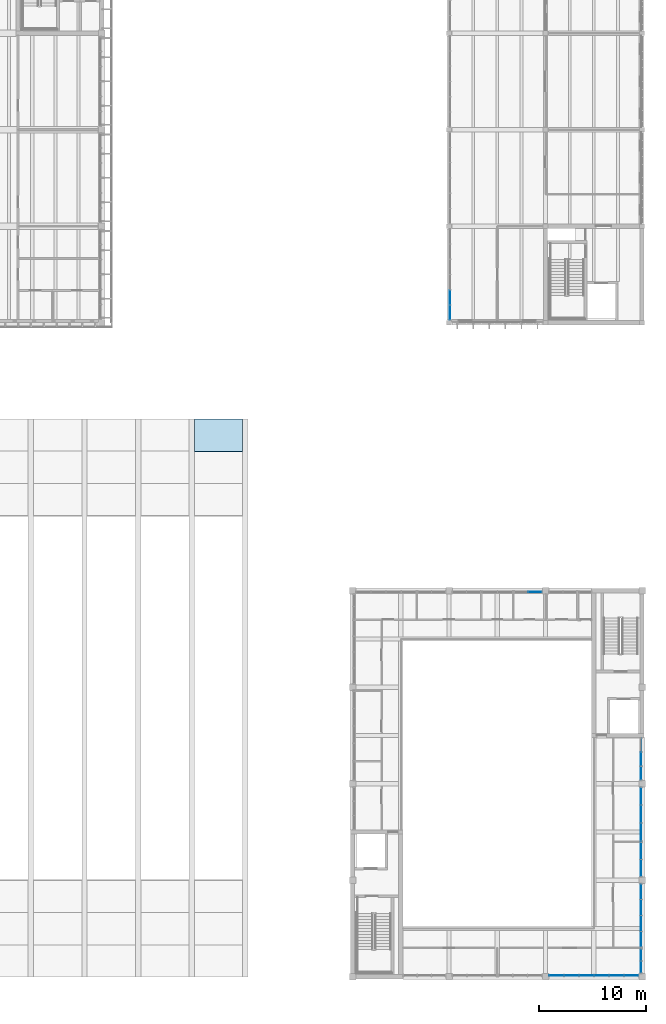
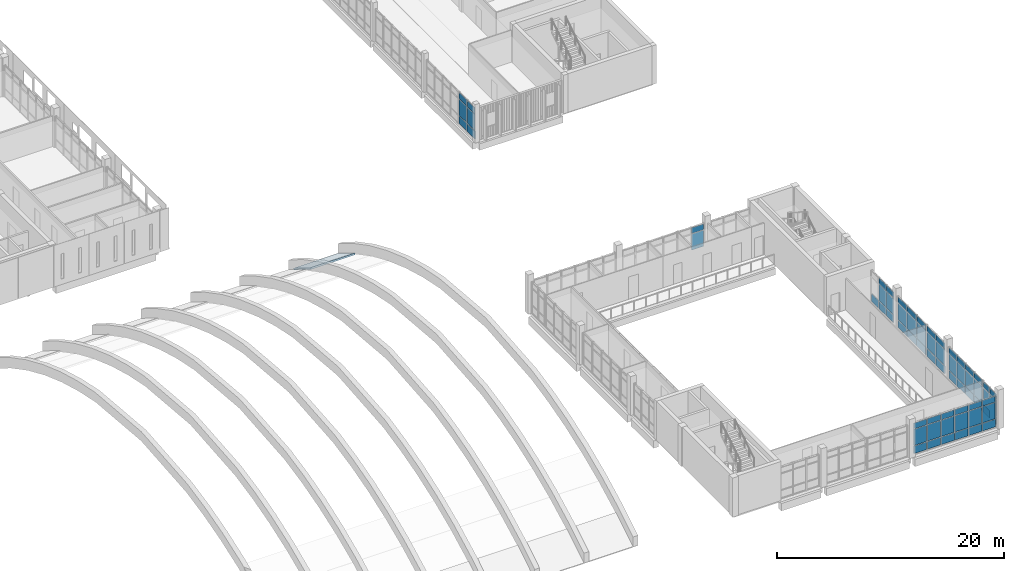
# One storey, part 39 of 88: 66 plates, 1 slab, 8 elements without a shape of their own.
"""IFC4 building model written with IfcOpenShell, lengths in metres."""

from ifc_helpers import new_model, si_unit, direction, frame, origin, origin_2d, place, context, subcontext, project, spatial, polyline, rectangle, outline, extrude, material, layer, layer_set, type_object, element, aggregate, save


model = new_model("IFC4")

# Units and contexts
model_context = context("Model", 3, precision=1e-05, world=origin(), true_north=direction((0.0, 1.0)))
body_context = subcontext(model_context, "Body", "Model", "MODEL_VIEW")
ifc_project = project(units=[si_unit("LENGTHUNIT", "METRE"), si_unit("AREAUNIT", "SQUARE_METRE"), si_unit("VOLUMEUNIT", "CUBIC_METRE"), si_unit("PLANEANGLEUNIT", "RADIAN"), si_unit("MASSUNIT", "GRAM", prefix="KILO")], contexts=[model_context])

# Site, building, storey
site_placement = place(None, origin())
site = spatial("IfcSite", under=ifc_project, at=site_placement, CompositionType="ELEMENT")
building_placement = place(site_placement, origin())
building = spatial("IfcBuilding", under=site, at=building_placement, Name="Merrow Basin Faculty of Sciences", CompositionType="ELEMENT")
storey_placement = place(building_placement, frame((0.0, 0.0, 9.0)))
storey = spatial("IfcBuildingStorey", under=building, at=storey_placement, Name="L02", CompositionType="ELEMENT", Elevation=9.0)

# Curtain wall, plates
ifc_material_1 = material(Name="Aluminium alloy 6063", Category="aluminium")
curtain_wall_type_1 = type_object("IfcCurtainWallType", Name="Atrium unitised curtain wall 240", PredefinedType="NOTDEFINED", material=ifc_material_1)
curtain_wall_1_placement = place(storey_placement, origin())
curtain_wall_1 = element("IfcCurtainWall", 1, at=curtain_wall_1_placement, inside=storey, type_object=curtain_wall_type_1, Name="N curtain wall L02 5", PredefinedType="NOTDEFINED")
ifc_material_2 = material(Name="Low-E double glazing", Category="glass")
ifc_layer_1 = layer(ifc_material_2, 0.031982421875)
ifc_layer_set_1 = layer_set([ifc_layer_1], Name="Acoustic double glazed panel 32")
plate_type_1 = type_object("IfcPlateType", Name="Acoustic double glazed panel 32", PredefinedType="CURTAIN_PANEL", material=ifc_layer_set_1)
plate_1_placement = place(storey_placement, frame((62.0224609375, 35.8798828125, 0.93017578125), z_axis=(0.0, 0.0, 1.0), x_axis=(1.0, 0.0, 0.0)))
plate_1 = element("IfcPlate", 2, at=plate_1_placement, type_object=plate_type_1, Name="CW5 panel 2.2", PredefinedType="CURTAIN_PANEL", context=body_context, shape_type="SweptSolid", body=[
    extrude(rectangle(XDim=1.235107421875, YDim=0.031982421875, at=origin_2d()), origin(), (0.0, 0.0, 1.0), 1.739990234375),
])
plate_2_placement = place(storey_placement, frame((62.0224609375, 35.8798828125, 2.72998046875), z_axis=(0.0, 0.0, 1.0), x_axis=(1.0, 0.0, 0.0)))
plate_2 = element("IfcPlate", 3, at=plate_2_placement, type_object=plate_type_1, Name="CW5 panel 2.3", PredefinedType="CURTAIN_PANEL", context=body_context, shape_type="SweptSolid", body=[
    extrude(rectangle(XDim=1.235107421875, YDim=0.031982421875, at=origin_2d()), origin(), (0.0, 0.0, 1.0), 0.610107421875),
])
aggregate(curtain_wall_1, [plate_1, plate_2])

curtain_wall_2_placement = place(storey_placement, origin())
curtain_wall_2 = element("IfcCurtainWall", 4, at=curtain_wall_2_placement, inside=storey, type_object=curtain_wall_type_1, Name="E curtain wall L02 1", PredefinedType="NOTDEFINED")
plate_3_placement = place(storey_placement, frame((71.8798828125, 0.902587890625, 0.93017578125), z_axis=(0.0, 0.0, 1.0), x_axis=(0.0, 1.0, 0.0)))
plate_3 = element("IfcPlate", 5, at=plate_3_placement, type_object=plate_type_1, Name="CW5 panel 1.2", PredefinedType="CURTAIN_PANEL", context=body_context, shape_type="SweptSolid", body=[
    extrude(rectangle(XDim=1.0849609375, YDim=0.031982421875, at=origin_2d()), origin(), (0.0, 0.0, 1.0), 1.739990234375),
])
plate_4_placement = place(storey_placement, frame((71.8798828125, 0.902587890625, 2.72998046875), z_axis=(0.0, 0.0, 1.0), x_axis=(0.0, 1.0, 0.0)))
plate_4 = element("IfcPlate", 6, at=plate_4_placement, type_object=plate_type_1, Name="CW5 panel 1.3", PredefinedType="CURTAIN_PANEL", context=body_context, shape_type="SweptSolid", body=[
    extrude(rectangle(XDim=1.0849609375, YDim=0.031982421875, at=origin_2d()), origin(), (0.0, 0.0, 1.0), 0.610107421875),
])
plate_5_placement = place(storey_placement, frame((71.8798828125, 2.047607421875, 0.93017578125), z_axis=(0.0, 0.0, 1.0), x_axis=(0.0, 1.0, 0.0)))
plate_5 = element("IfcPlate", 7, at=plate_5_placement, type_object=plate_type_1, Name="CW5 panel 2.2", PredefinedType="CURTAIN_PANEL", context=body_context, shape_type="SweptSolid", body=[
    extrude(rectangle(XDim=1.0849609375, YDim=0.031982421875, at=origin_2d()), origin(), (0.0, 0.0, 1.0), 1.739990234375),
])
plate_6_placement = place(storey_placement, frame((71.8798828125, 2.047607421875, 2.72998046875), z_axis=(0.0, 0.0, 1.0), x_axis=(0.0, 1.0, 0.0)))
plate_6 = element("IfcPlate", 8, at=plate_6_placement, type_object=plate_type_1, Name="CW5 panel 2.3", PredefinedType="CURTAIN_PANEL", context=body_context, shape_type="SweptSolid", body=[
    extrude(rectangle(XDim=1.0849609375, YDim=0.031982421875, at=origin_2d()), origin(), (0.0, 0.0, 1.0), 0.610107421875),
])

curtain_wall_3_placement = place(storey_placement, origin())
curtain_wall_3 = element("IfcCurtainWall", 9, at=curtain_wall_3_placement, inside=storey, type_object=curtain_wall_type_1, Name="E curtain wall L02 2", PredefinedType="NOTDEFINED")
plate_7_placement = place(storey_placement, frame((71.8798828125, 3.5087890625, 0.93017578125), z_axis=(0.0, 0.0, 1.0), x_axis=(0.0, 1.0, 0.0)))
plate_7 = element("IfcPlate", 10, at=plate_7_placement, type_object=plate_type_1, Name="CW5 panel 1.2", PredefinedType="CURTAIN_PANEL", context=body_context, shape_type="SweptSolid", body=[
    extrude(rectangle(XDim=1.3974609375, YDim=0.031982421875, at=origin_2d()), origin(), (0.0, 0.0, 1.0), 1.739990234375),
])
plate_8_placement = place(storey_placement, frame((71.8798828125, 3.5087890625, 2.72998046875), z_axis=(0.0, 0.0, 1.0), x_axis=(0.0, 1.0, 0.0)))
plate_8 = element("IfcPlate", 11, at=plate_8_placement, type_object=plate_type_1, Name="CW5 panel 1.3", PredefinedType="CURTAIN_PANEL", context=body_context, shape_type="SweptSolid", body=[
    extrude(rectangle(XDim=1.3974609375, YDim=0.031982421875, at=origin_2d()), origin(), (0.0, 0.0, 1.0), 0.610107421875),
])
plate_9_placement = place(storey_placement, frame((71.8798828125, 4.981201171875, 0.93017578125), z_axis=(0.0, 0.0, 1.0), x_axis=(0.0, 1.0, 0.0)))
plate_9 = element("IfcPlate", 12, at=plate_9_placement, type_object=plate_type_1, Name="CW5 panel 2.2", PredefinedType="CURTAIN_PANEL", context=body_context, shape_type="SweptSolid", body=[
    extrude(rectangle(XDim=1.427490234375, YDim=0.031982421875, at=origin_2d()), origin(), (0.0, 0.0, 1.0), 1.739990234375),
])
plate_10_placement = place(storey_placement, frame((71.8798828125, 4.981201171875, 2.72998046875), z_axis=(0.0, 0.0, 1.0), x_axis=(0.0, 1.0, 0.0)))
plate_10 = element("IfcPlate", 13, at=plate_10_placement, type_object=plate_type_1, Name="CW5 panel 2.3", PredefinedType="CURTAIN_PANEL", context=body_context, shape_type="SweptSolid", body=[
    extrude(rectangle(XDim=1.427490234375, YDim=0.031982421875, at=origin_2d()), origin(), (0.0, 0.0, 1.0), 0.610107421875),
])
plate_11_placement = place(storey_placement, frame((71.8798828125, 6.46875, 0.93017578125), z_axis=(0.0, 0.0, 1.0), x_axis=(0.0, 1.0, 0.0)))
plate_11 = element("IfcPlate", 14, at=plate_11_placement, type_object=plate_type_1, Name="CW5 panel 3.2", PredefinedType="CURTAIN_PANEL", context=body_context, shape_type="SweptSolid", body=[
    extrude(rectangle(XDim=1.427490234375, YDim=0.031982421875, at=origin_2d()), origin(), (0.0, 0.0, 1.0), 1.739990234375),
])
plate_12_placement = place(storey_placement, frame((71.8798828125, 6.46875, 2.72998046875), z_axis=(0.0, 0.0, 1.0), x_axis=(0.0, 1.0, 0.0)))
plate_12 = element("IfcPlate", 15, at=plate_12_placement, type_object=plate_type_1, Name="CW5 panel 3.3", PredefinedType="CURTAIN_PANEL", context=body_context, shape_type="SweptSolid", body=[
    extrude(rectangle(XDim=1.427490234375, YDim=0.031982421875, at=origin_2d()), origin(), (0.0, 0.0, 1.0), 0.610107421875),
])
plate_13_placement = place(storey_placement, frame((71.8798828125, 7.941162109375, 0.93017578125), z_axis=(0.0, 0.0, 1.0), x_axis=(0.0, 1.0, 0.0)))
plate_13 = element("IfcPlate", 16, at=plate_13_placement, type_object=plate_type_1, Name="CW5 panel 4.2", PredefinedType="CURTAIN_PANEL", context=body_context, shape_type="SweptSolid", body=[
    extrude(rectangle(XDim=1.3974609375, YDim=0.031982421875, at=origin_2d()), origin(), (0.0, 0.0, 1.0), 1.739990234375),
])
plate_14_placement = place(storey_placement, frame((71.8798828125, 7.941162109375, 2.72998046875), z_axis=(0.0, 0.0, 1.0), x_axis=(0.0, 1.0, 0.0)))
plate_14 = element("IfcPlate", 17, at=plate_14_placement, type_object=plate_type_1, Name="CW5 panel 4.3", PredefinedType="CURTAIN_PANEL", context=body_context, shape_type="SweptSolid", body=[
    extrude(rectangle(XDim=1.3974609375, YDim=0.031982421875, at=origin_2d()), origin(), (0.0, 0.0, 1.0), 0.610107421875),
])

curtain_wall_4_placement = place(storey_placement, origin())
curtain_wall_4 = element("IfcCurtainWall", 18, at=curtain_wall_4_placement, inside=storey, type_object=curtain_wall_type_1, Name="E curtain wall L02 3", PredefinedType="NOTDEFINED")
plate_15_placement = place(storey_placement, frame((71.8798828125, 10.12744140625, 0.93017578125), z_axis=(0.0, 0.0, 1.0), x_axis=(0.0, 1.0, 0.0)))
plate_15 = element("IfcPlate", 19, at=plate_15_placement, type_object=plate_type_1, Name="CW5 panel 1.2", PredefinedType="CURTAIN_PANEL", context=body_context, shape_type="SweptSolid", body=[
    extrude(rectangle(XDim=1.534912109375, YDim=0.031982421875, at=origin_2d()), origin(), (0.0, 0.0, 1.0), 1.739990234375),
])
plate_16_placement = place(storey_placement, frame((71.8798828125, 10.12744140625, 2.72998046875), z_axis=(0.0, 0.0, 1.0), x_axis=(0.0, 1.0, 0.0)))
plate_16 = element("IfcPlate", 20, at=plate_16_placement, type_object=plate_type_1, Name="CW5 panel 1.3", PredefinedType="CURTAIN_PANEL", context=body_context, shape_type="SweptSolid", body=[
    extrude(rectangle(XDim=1.534912109375, YDim=0.031982421875, at=origin_2d()), origin(), (0.0, 0.0, 1.0), 0.610107421875),
])
plate_17_placement = place(storey_placement, frame((71.8798828125, 11.722412109375, 0.93017578125), z_axis=(0.0, 0.0, 1.0), x_axis=(0.0, 1.0, 0.0)))
plate_17 = element("IfcPlate", 21, at=plate_17_placement, type_object=plate_type_1, Name="CW5 panel 2.2", PredefinedType="CURTAIN_PANEL", context=body_context, shape_type="SweptSolid", body=[
    extrude(rectangle(XDim=1.534912109375, YDim=0.031982421875, at=origin_2d()), origin(), (0.0, 0.0, 1.0), 1.739990234375),
])
plate_18_placement = place(storey_placement, frame((71.8798828125, 11.722412109375, 2.72998046875), z_axis=(0.0, 0.0, 1.0), x_axis=(0.0, 1.0, 0.0)))
plate_18 = element("IfcPlate", 22, at=plate_18_placement, type_object=plate_type_1, Name="CW5 panel 2.3", PredefinedType="CURTAIN_PANEL", context=body_context, shape_type="SweptSolid", body=[
    extrude(rectangle(XDim=1.534912109375, YDim=0.031982421875, at=origin_2d()), origin(), (0.0, 0.0, 1.0), 0.610107421875),
])

curtain_wall_5_placement = place(storey_placement, origin())
curtain_wall_5 = element("IfcCurtainWall", 23, at=curtain_wall_5_placement, inside=storey, type_object=curtain_wall_type_1, Name="E curtain wall L02 4", PredefinedType="NOTDEFINED")
plate_19_placement = place(storey_placement, frame((71.8798828125, 13.506591796875, 0.93017578125), z_axis=(0.0, 0.0, 1.0), x_axis=(0.0, 1.0, 0.0)))
plate_19 = element("IfcPlate", 24, at=plate_19_placement, type_object=plate_type_1, Name="CW5 panel 1.2", PredefinedType="CURTAIN_PANEL", context=body_context, shape_type="SweptSolid", body=[
    extrude(rectangle(XDim=1.59326171875, YDim=0.031982421875, at=origin_2d()), origin(), (0.0, 0.0, 1.0), 1.739990234375),
])
plate_20_placement = place(storey_placement, frame((71.8798828125, 13.506591796875, 2.72998046875), z_axis=(0.0, 0.0, 1.0), x_axis=(0.0, 1.0, 0.0)))
plate_20 = element("IfcPlate", 25, at=plate_20_placement, type_object=plate_type_1, Name="CW5 panel 1.3", PredefinedType="CURTAIN_PANEL", context=body_context, shape_type="SweptSolid", body=[
    extrude(rectangle(XDim=1.59326171875, YDim=0.031982421875, at=origin_2d()), origin(), (0.0, 0.0, 1.0), 0.610107421875),
])
plate_21_placement = place(storey_placement, frame((71.8798828125, 15.175048828125, 0.93017578125), z_axis=(0.0, 0.0, 1.0), x_axis=(0.0, 1.0, 0.0)))
plate_21 = element("IfcPlate", 26, at=plate_21_placement, type_object=plate_type_1, Name="CW5 panel 2.2", PredefinedType="CURTAIN_PANEL", context=body_context, shape_type="SweptSolid", body=[
    extrude(rectangle(XDim=1.623291015625, YDim=0.031982421875, at=origin_2d()), origin(), (0.0, 0.0, 1.0), 1.739990234375),
])
plate_22_placement = place(storey_placement, frame((71.8798828125, 15.175048828125, 2.72998046875), z_axis=(0.0, 0.0, 1.0), x_axis=(0.0, 1.0, 0.0)))
plate_22 = element("IfcPlate", 27, at=plate_22_placement, type_object=plate_type_1, Name="CW5 panel 2.3", PredefinedType="CURTAIN_PANEL", context=body_context, shape_type="SweptSolid", body=[
    extrude(rectangle(XDim=1.623291015625, YDim=0.031982421875, at=origin_2d()), origin(), (0.0, 0.0, 1.0), 0.610107421875),
])
plate_23_placement = place(storey_placement, frame((71.8798828125, 16.84326171875, 0.93017578125), z_axis=(0.0, 0.0, 1.0), x_axis=(0.0, 1.0, 0.0)))
plate_23 = element("IfcPlate", 28, at=plate_23_placement, type_object=plate_type_1, Name="CW5 panel 3.2", PredefinedType="CURTAIN_PANEL", context=body_context, shape_type="SweptSolid", body=[
    extrude(rectangle(XDim=1.59326171875, YDim=0.031982421875, at=origin_2d()), origin(), (0.0, 0.0, 1.0), 1.739990234375),
])
plate_24_placement = place(storey_placement, frame((71.8798828125, 16.84326171875, 2.72998046875), z_axis=(0.0, 0.0, 1.0), x_axis=(0.0, 1.0, 0.0)))
plate_24 = element("IfcPlate", 29, at=plate_24_placement, type_object=plate_type_1, Name="CW5 panel 3.3", PredefinedType="CURTAIN_PANEL", context=body_context, shape_type="SweptSolid", body=[
    extrude(rectangle(XDim=1.59326171875, YDim=0.031982421875, at=origin_2d()), origin(), (0.0, 0.0, 1.0), 0.610107421875),
])

curtain_wall_6_placement = place(storey_placement, origin())
curtain_wall_6 = element("IfcCurtainWall", 30, at=curtain_wall_6_placement, inside=storey, type_object=curtain_wall_type_1, Name="E curtain wall L02 5", PredefinedType="NOTDEFINED")
plate_25_placement = place(storey_placement, frame((71.8798828125, 18.981689453125, 0.93017578125), z_axis=(0.0, 0.0, 1.0), x_axis=(0.0, 1.0, 0.0)))
plate_25 = element("IfcPlate", 31, at=plate_25_placement, type_object=plate_type_1, Name="CW5 panel 1.2", PredefinedType="CURTAIN_PANEL", context=body_context, shape_type="SweptSolid", body=[
    extrude(rectangle(XDim=1.243408203125, YDim=0.031982421875, at=origin_2d()), origin(), (0.0, 0.0, 1.0), 1.739990234375),
])
plate_26_placement = place(storey_placement, frame((71.8798828125, 18.981689453125, 2.72998046875), z_axis=(0.0, 0.0, 1.0), x_axis=(0.0, 1.0, 0.0)))
plate_26 = element("IfcPlate", 32, at=plate_26_placement, type_object=plate_type_1, Name="CW5 panel 1.3", PredefinedType="CURTAIN_PANEL", context=body_context, shape_type="SweptSolid", body=[
    extrude(rectangle(XDim=1.243408203125, YDim=0.031982421875, at=origin_2d()), origin(), (0.0, 0.0, 1.0), 0.610107421875),
])
plate_27_placement = place(storey_placement, frame((71.8798828125, 20.300048828125, 0.93017578125), z_axis=(0.0, 0.0, 1.0), x_axis=(0.0, 1.0, 0.0)))
plate_27 = element("IfcPlate", 33, at=plate_27_placement, type_object=plate_type_1, Name="CW5 panel 2.2", PredefinedType="CURTAIN_PANEL", context=body_context, shape_type="SweptSolid", body=[
    extrude(rectangle(XDim=1.2734375, YDim=0.031982421875, at=origin_2d()), origin(), (0.0, 0.0, 1.0), 1.739990234375),
])
plate_28_placement = place(storey_placement, frame((71.8798828125, 20.300048828125, 2.72998046875), z_axis=(0.0, 0.0, 1.0), x_axis=(0.0, 1.0, 0.0)))
plate_28 = element("IfcPlate", 34, at=plate_28_placement, type_object=plate_type_1, Name="CW5 panel 2.3", PredefinedType="CURTAIN_PANEL", context=body_context, shape_type="SweptSolid", body=[
    extrude(rectangle(XDim=1.2734375, YDim=0.031982421875, at=origin_2d()), origin(), (0.0, 0.0, 1.0), 0.610107421875),
])

curtain_wall_7_placement = place(storey_placement, origin())
curtain_wall_7 = element("IfcCurtainWall", 35, at=curtain_wall_7_placement, inside=storey, type_object=curtain_wall_type_1, Name="S curtain wall L02 4", PredefinedType="NOTDEFINED")
plate_29_placement = place(storey_placement, frame((64.014892578125, 0.1201171875, 0.93017578125), z_axis=(0.0, 0.0, 1.0), x_axis=(1.0, 0.0, 0.0)))
plate_29 = element("IfcPlate", 36, at=plate_29_placement, type_object=plate_type_1, Name="CW5 panel 1.2", PredefinedType="CURTAIN_PANEL", context=body_context, shape_type="SweptSolid", body=[
    extrude(rectangle(XDim=1.31005859375, YDim=0.031982421875, at=origin_2d()), origin(), (0.0, 0.0, 1.0), 1.739990234375),
])
plate_30_placement = place(storey_placement, frame((64.014892578125, 0.1201171875, 2.72998046875), z_axis=(0.0, 0.0, 1.0), x_axis=(1.0, 0.0, 0.0)))
plate_30 = element("IfcPlate", 37, at=plate_30_placement, type_object=plate_type_1, Name="CW5 panel 1.3", PredefinedType="CURTAIN_PANEL", context=body_context, shape_type="SweptSolid", body=[
    extrude(rectangle(XDim=1.31005859375, YDim=0.031982421875, at=origin_2d()), origin(), (0.0, 0.0, 1.0), 0.610107421875),
])
plate_31_placement = place(storey_placement, frame((65.39990234375, 0.1201171875, 0.93017578125), z_axis=(0.0, 0.0, 1.0), x_axis=(1.0, 0.0, 0.0)))
plate_31 = element("IfcPlate", 38, at=plate_31_placement, type_object=plate_type_1, Name="CW5 panel 2.2", PredefinedType="CURTAIN_PANEL", context=body_context, shape_type="SweptSolid", body=[
    extrude(rectangle(XDim=1.340087890625, YDim=0.031982421875, at=origin_2d()), origin(), (0.0, 0.0, 1.0), 1.739990234375),
])
plate_32_placement = place(storey_placement, frame((65.39990234375, 0.1201171875, 2.72998046875), z_axis=(0.0, 0.0, 1.0), x_axis=(1.0, 0.0, 0.0)))
plate_32 = element("IfcPlate", 39, at=plate_32_placement, type_object=plate_type_1, Name="CW5 panel 2.3", PredefinedType="CURTAIN_PANEL", context=body_context, shape_type="SweptSolid", body=[
    extrude(rectangle(XDim=1.340087890625, YDim=0.031982421875, at=origin_2d()), origin(), (0.0, 0.0, 1.0), 0.610107421875),
])
plate_33_placement = place(storey_placement, frame((66.800048828125, 0.1201171875, 0.93017578125), z_axis=(0.0, 0.0, 1.0), x_axis=(1.0, 0.0, 0.0)))
plate_33 = element("IfcPlate", 40, at=plate_33_placement, type_object=plate_type_1, Name="CW5 panel 3.2", PredefinedType="CURTAIN_PANEL", context=body_context, shape_type="SweptSolid", body=[
    extrude(rectangle(XDim=1.340087890625, YDim=0.031982421875, at=origin_2d()), origin(), (0.0, 0.0, 1.0), 1.739990234375),
])
plate_34_placement = place(storey_placement, frame((66.800048828125, 0.1201171875, 2.72998046875), z_axis=(0.0, 0.0, 1.0), x_axis=(1.0, 0.0, 0.0)))
plate_34 = element("IfcPlate", 41, at=plate_34_placement, type_object=plate_type_1, Name="CW5 panel 3.3", PredefinedType="CURTAIN_PANEL", context=body_context, shape_type="SweptSolid", body=[
    extrude(rectangle(XDim=1.340087890625, YDim=0.031982421875, at=origin_2d()), origin(), (0.0, 0.0, 1.0), 0.610107421875),
])
plate_35_placement = place(storey_placement, frame((68.199951171875, 0.1201171875, 0.93017578125), z_axis=(0.0, 0.0, 1.0), x_axis=(1.0, 0.0, 0.0)))
plate_35 = element("IfcPlate", 42, at=plate_35_placement, type_object=plate_type_1, Name="CW5 panel 4.2", PredefinedType="CURTAIN_PANEL", context=body_context, shape_type="SweptSolid", body=[
    extrude(rectangle(XDim=1.340087890625, YDim=0.031982421875, at=origin_2d()), origin(), (0.0, 0.0, 1.0), 1.739990234375),
])
plate_36_placement = place(storey_placement, frame((68.199951171875, 0.1201171875, 2.72998046875), z_axis=(0.0, 0.0, 1.0), x_axis=(1.0, 0.0, 0.0)))
plate_36 = element("IfcPlate", 43, at=plate_36_placement, type_object=plate_type_1, Name="CW5 panel 4.3", PredefinedType="CURTAIN_PANEL", context=body_context, shape_type="SweptSolid", body=[
    extrude(rectangle(XDim=1.340087890625, YDim=0.031982421875, at=origin_2d()), origin(), (0.0, 0.0, 1.0), 0.610107421875),
])
plate_37_placement = place(storey_placement, frame((69.60009765625, 0.1201171875, 0.93017578125), z_axis=(0.0, 0.0, 1.0), x_axis=(1.0, 0.0, 0.0)))
plate_37 = element("IfcPlate", 44, at=plate_37_placement, type_object=plate_type_1, Name="CW5 panel 5.2", PredefinedType="CURTAIN_PANEL", context=body_context, shape_type="SweptSolid", body=[
    extrude(rectangle(XDim=1.340087890625, YDim=0.031982421875, at=origin_2d()), origin(), (0.0, 0.0, 1.0), 1.739990234375),
])
plate_38_placement = place(storey_placement, frame((69.60009765625, 0.1201171875, 2.72998046875), z_axis=(0.0, 0.0, 1.0), x_axis=(1.0, 0.0, 0.0)))
plate_38 = element("IfcPlate", 45, at=plate_38_placement, type_object=plate_type_1, Name="CW5 panel 5.3", PredefinedType="CURTAIN_PANEL", context=body_context, shape_type="SweptSolid", body=[
    extrude(rectangle(XDim=1.340087890625, YDim=0.031982421875, at=origin_2d()), origin(), (0.0, 0.0, 1.0), 0.610107421875),
])
plate_39_placement = place(storey_placement, frame((70.985107421875, 0.1201171875, 0.93017578125), z_axis=(0.0, 0.0, 1.0), x_axis=(1.0, 0.0, 0.0)))
plate_39 = element("IfcPlate", 46, at=plate_39_placement, type_object=plate_type_1, Name="CW5 panel 6.2", PredefinedType="CURTAIN_PANEL", context=body_context, shape_type="SweptSolid", body=[
    extrude(rectangle(XDim=1.31005859375, YDim=0.031982421875, at=origin_2d()), origin(), (0.0, 0.0, 1.0), 1.739990234375),
])
plate_40_placement = place(storey_placement, frame((70.985107421875, 0.1201171875, 2.72998046875), z_axis=(0.0, 0.0, 1.0), x_axis=(1.0, 0.0, 0.0)))
plate_40 = element("IfcPlate", 47, at=plate_40_placement, type_object=plate_type_1, Name="CW5 panel 6.3", PredefinedType="CURTAIN_PANEL", context=body_context, shape_type="SweptSolid", body=[
    extrude(rectangle(XDim=1.31005859375, YDim=0.031982421875, at=origin_2d()), origin(), (0.0, 0.0, 1.0), 0.610107421875),
])

# Plate
ifc_material_3 = material(Name="Insulated aluminium spandrel panel", Category="aluminium")
ifc_layer_2 = layer(ifc_material_3, 0.052001953125)
ifc_layer_set_2 = layer_set([ifc_layer_2], Name="Insulated spandrel panel 52")
plate_type_2 = type_object("IfcPlateType", Name="Insulated spandrel panel 52", PredefinedType="CURTAIN_PANEL", material=ifc_layer_set_2)
plate_41_placement = place(storey_placement, frame((71.8798828125, 0.902587890625, 0.06005859375), z_axis=(0.0, 0.0, 1.0), x_axis=(0.0, 1.0, 0.0)))
plate_41 = element("IfcPlate", 48, at=plate_41_placement, type_object=plate_type_2, Name="CW5 panel 1.1", PredefinedType="CURTAIN_PANEL", context=body_context, shape_type="SweptSolid", body=[
    extrude(rectangle(XDim=1.0849609375, YDim=0.052001953125, at=origin_2d()), origin(), (0.0, 0.0, 1.0), 0.81005859375),
])

plate_42_placement = place(storey_placement, frame((71.8798828125, 2.047607421875, 0.06005859375), z_axis=(0.0, 0.0, 1.0), x_axis=(0.0, 1.0, 0.0)))
plate_42 = element("IfcPlate", 49, at=plate_42_placement, type_object=plate_type_2, Name="CW5 panel 2.1", PredefinedType="CURTAIN_PANEL", context=body_context, shape_type="SweptSolid", body=[
    extrude(rectangle(XDim=1.0849609375, YDim=0.052001953125, at=origin_2d()), origin(), (0.0, 0.0, 1.0), 0.81005859375),
])

aggregate(curtain_wall_2, [plate_41, plate_3, plate_4, plate_42, plate_5, plate_6])

plate_43_placement = place(storey_placement, frame((71.8798828125, 3.5087890625, 0.06005859375), z_axis=(0.0, 0.0, 1.0), x_axis=(0.0, 1.0, 0.0)))
plate_43 = element("IfcPlate", 50, at=plate_43_placement, type_object=plate_type_2, Name="CW5 panel 1.1", PredefinedType="CURTAIN_PANEL", context=body_context, shape_type="SweptSolid", body=[
    extrude(rectangle(XDim=1.3974609375, YDim=0.052001953125, at=origin_2d()), origin(), (0.0, 0.0, 1.0), 0.81005859375),
])

plate_44_placement = place(storey_placement, frame((71.8798828125, 4.981201171875, 0.06005859375), z_axis=(0.0, 0.0, 1.0), x_axis=(0.0, 1.0, 0.0)))
plate_44 = element("IfcPlate", 51, at=plate_44_placement, type_object=plate_type_2, Name="CW5 panel 2.1", PredefinedType="CURTAIN_PANEL", context=body_context, shape_type="SweptSolid", body=[
    extrude(rectangle(XDim=1.427490234375, YDim=0.052001953125, at=origin_2d()), origin(), (0.0, 0.0, 1.0), 0.81005859375),
])

plate_45_placement = place(storey_placement, frame((71.8798828125, 6.46875, 0.06005859375), z_axis=(0.0, 0.0, 1.0), x_axis=(0.0, 1.0, 0.0)))
plate_45 = element("IfcPlate", 52, at=plate_45_placement, type_object=plate_type_2, Name="CW5 panel 3.1", PredefinedType="CURTAIN_PANEL", context=body_context, shape_type="SweptSolid", body=[
    extrude(rectangle(XDim=1.427490234375, YDim=0.052001953125, at=origin_2d()), origin(), (0.0, 0.0, 1.0), 0.81005859375),
])

plate_46_placement = place(storey_placement, frame((71.8798828125, 7.941162109375, 0.06005859375), z_axis=(0.0, 0.0, 1.0), x_axis=(0.0, 1.0, 0.0)))
plate_46 = element("IfcPlate", 53, at=plate_46_placement, type_object=plate_type_2, Name="CW5 panel 4.1", PredefinedType="CURTAIN_PANEL", context=body_context, shape_type="SweptSolid", body=[
    extrude(rectangle(XDim=1.3974609375, YDim=0.052001953125, at=origin_2d()), origin(), (0.0, 0.0, 1.0), 0.81005859375),
])

aggregate(curtain_wall_3, [plate_43, plate_7, plate_8, plate_44, plate_9, plate_10, plate_45, plate_11, plate_12, plate_46, plate_13, plate_14])

plate_47_placement = place(storey_placement, frame((71.8798828125, 10.12744140625, 0.06005859375), z_axis=(0.0, 0.0, 1.0), x_axis=(0.0, 1.0, 0.0)))
plate_47 = element("IfcPlate", 54, at=plate_47_placement, type_object=plate_type_2, Name="CW5 panel 1.1", PredefinedType="CURTAIN_PANEL", context=body_context, shape_type="SweptSolid", body=[
    extrude(rectangle(XDim=1.534912109375, YDim=0.052001953125, at=origin_2d()), origin(), (0.0, 0.0, 1.0), 0.81005859375),
])

plate_48_placement = place(storey_placement, frame((71.8798828125, 11.722412109375, 0.06005859375), z_axis=(0.0, 0.0, 1.0), x_axis=(0.0, 1.0, 0.0)))
plate_48 = element("IfcPlate", 55, at=plate_48_placement, type_object=plate_type_2, Name="CW5 panel 2.1", PredefinedType="CURTAIN_PANEL", context=body_context, shape_type="SweptSolid", body=[
    extrude(rectangle(XDim=1.534912109375, YDim=0.052001953125, at=origin_2d()), origin(), (0.0, 0.0, 1.0), 0.81005859375),
])

aggregate(curtain_wall_4, [plate_47, plate_15, plate_16, plate_48, plate_17, plate_18])

plate_49_placement = place(storey_placement, frame((71.8798828125, 13.506591796875, 0.06005859375), z_axis=(0.0, 0.0, 1.0), x_axis=(0.0, 1.0, 0.0)))
plate_49 = element("IfcPlate", 56, at=plate_49_placement, type_object=plate_type_2, Name="CW5 panel 1.1", PredefinedType="CURTAIN_PANEL", context=body_context, shape_type="SweptSolid", body=[
    extrude(rectangle(XDim=1.59326171875, YDim=0.052001953125, at=origin_2d()), origin(), (0.0, 0.0, 1.0), 0.81005859375),
])

plate_50_placement = place(storey_placement, frame((71.8798828125, 15.175048828125, 0.06005859375), z_axis=(0.0, 0.0, 1.0), x_axis=(0.0, 1.0, 0.0)))
plate_50 = element("IfcPlate", 57, at=plate_50_placement, type_object=plate_type_2, Name="CW5 panel 2.1", PredefinedType="CURTAIN_PANEL", context=body_context, shape_type="SweptSolid", body=[
    extrude(rectangle(XDim=1.623291015625, YDim=0.052001953125, at=origin_2d()), origin(), (0.0, 0.0, 1.0), 0.81005859375),
])

plate_51_placement = place(storey_placement, frame((71.8798828125, 16.84326171875, 0.06005859375), z_axis=(0.0, 0.0, 1.0), x_axis=(0.0, 1.0, 0.0)))
plate_51 = element("IfcPlate", 58, at=plate_51_placement, type_object=plate_type_2, Name="CW5 panel 3.1", PredefinedType="CURTAIN_PANEL", context=body_context, shape_type="SweptSolid", body=[
    extrude(rectangle(XDim=1.59326171875, YDim=0.052001953125, at=origin_2d()), origin(), (0.0, 0.0, 1.0), 0.81005859375),
])

aggregate(curtain_wall_5, [plate_49, plate_19, plate_20, plate_50, plate_21, plate_22, plate_51, plate_23, plate_24])

plate_52_placement = place(storey_placement, frame((71.8798828125, 18.981689453125, 0.06005859375), z_axis=(0.0, 0.0, 1.0), x_axis=(0.0, 1.0, 0.0)))
plate_52 = element("IfcPlate", 59, at=plate_52_placement, type_object=plate_type_2, Name="CW5 panel 1.1", PredefinedType="CURTAIN_PANEL", context=body_context, shape_type="SweptSolid", body=[
    extrude(rectangle(XDim=1.243408203125, YDim=0.052001953125, at=origin_2d()), origin(), (0.0, 0.0, 1.0), 0.81005859375),
])

plate_53_placement = place(storey_placement, frame((71.8798828125, 20.300048828125, 0.06005859375), z_axis=(0.0, 0.0, 1.0), x_axis=(0.0, 1.0, 0.0)))
plate_53 = element("IfcPlate", 60, at=plate_53_placement, type_object=plate_type_2, Name="CW5 panel 2.1", PredefinedType="CURTAIN_PANEL", context=body_context, shape_type="SweptSolid", body=[
    extrude(rectangle(XDim=1.2734375, YDim=0.052001953125, at=origin_2d()), origin(), (0.0, 0.0, 1.0), 0.81005859375),
])

plate_54_placement = place(storey_placement, frame((71.8798828125, 21.618408203125, 0.06005859375), z_axis=(0.0, 0.0, 1.0), x_axis=(0.0, 1.0, 0.0)))
plate_54 = element("IfcPlate", 61, at=plate_54_placement, type_object=plate_type_2, Name="CW5 panel 3.1", PredefinedType="CURTAIN_PANEL", context=body_context, shape_type="SweptSolid", body=[
    extrude(rectangle(XDim=1.243408203125, YDim=0.052001953125, at=origin_2d()), origin(), (0.0, 0.0, 1.0), 0.81005859375),
])

aggregate(curtain_wall_6, [plate_52, plate_25, plate_26, plate_53, plate_27, plate_28, plate_54])

plate_55_placement = place(storey_placement, frame((64.014892578125, 0.1201171875, 0.06005859375), z_axis=(0.0, 0.0, 1.0), x_axis=(1.0, 0.0, 0.0)))
plate_55 = element("IfcPlate", 62, at=plate_55_placement, type_object=plate_type_2, Name="CW5 panel 1.1", PredefinedType="CURTAIN_PANEL", context=body_context, shape_type="SweptSolid", body=[
    extrude(rectangle(XDim=1.31005859375, YDim=0.052001953125, at=origin_2d()), origin(), (0.0, 0.0, 1.0), 0.81005859375),
])

plate_56_placement = place(storey_placement, frame((65.39990234375, 0.1201171875, 0.06005859375), z_axis=(0.0, 0.0, 1.0), x_axis=(1.0, 0.0, 0.0)))
plate_56 = element("IfcPlate", 63, at=plate_56_placement, type_object=plate_type_2, Name="CW5 panel 2.1", PredefinedType="CURTAIN_PANEL", context=body_context, shape_type="SweptSolid", body=[
    extrude(rectangle(XDim=1.340087890625, YDim=0.052001953125, at=origin_2d()), origin(), (0.0, 0.0, 1.0), 0.81005859375),
])

plate_57_placement = place(storey_placement, frame((66.800048828125, 0.1201171875, 0.06005859375), z_axis=(0.0, 0.0, 1.0), x_axis=(1.0, 0.0, 0.0)))
plate_57 = element("IfcPlate", 64, at=plate_57_placement, type_object=plate_type_2, Name="CW5 panel 3.1", PredefinedType="CURTAIN_PANEL", context=body_context, shape_type="SweptSolid", body=[
    extrude(rectangle(XDim=1.340087890625, YDim=0.052001953125, at=origin_2d()), origin(), (0.0, 0.0, 1.0), 0.81005859375),
])

plate_58_placement = place(storey_placement, frame((68.199951171875, 0.1201171875, 0.06005859375), z_axis=(0.0, 0.0, 1.0), x_axis=(1.0, 0.0, 0.0)))
plate_58 = element("IfcPlate", 65, at=plate_58_placement, type_object=plate_type_2, Name="CW5 panel 4.1", PredefinedType="CURTAIN_PANEL", context=body_context, shape_type="SweptSolid", body=[
    extrude(rectangle(XDim=1.340087890625, YDim=0.052001953125, at=origin_2d()), origin(), (0.0, 0.0, 1.0), 0.81005859375),
])

plate_59_placement = place(storey_placement, frame((69.60009765625, 0.1201171875, 0.06005859375), z_axis=(0.0, 0.0, 1.0), x_axis=(1.0, 0.0, 0.0)))
plate_59 = element("IfcPlate", 66, at=plate_59_placement, type_object=plate_type_2, Name="CW5 panel 5.1", PredefinedType="CURTAIN_PANEL", context=body_context, shape_type="SweptSolid", body=[
    extrude(rectangle(XDim=1.340087890625, YDim=0.052001953125, at=origin_2d()), origin(), (0.0, 0.0, 1.0), 0.81005859375),
])

plate_60_placement = place(storey_placement, frame((70.985107421875, 0.1201171875, 0.06005859375), z_axis=(0.0, 0.0, 1.0), x_axis=(1.0, 0.0, 0.0)))
plate_60 = element("IfcPlate", 67, at=plate_60_placement, type_object=plate_type_2, Name="CW5 panel 6.1", PredefinedType="CURTAIN_PANEL", context=body_context, shape_type="SweptSolid", body=[
    extrude(rectangle(XDim=1.31005859375, YDim=0.052001953125, at=origin_2d()), origin(), (0.0, 0.0, 1.0), 0.81005859375),
])

aggregate(curtain_wall_7, [plate_55, plate_29, plate_30, plate_56, plate_31, plate_32, plate_57, plate_33, plate_34, plate_58, plate_35, plate_36, plate_59, plate_37, plate_38, plate_60, plate_39, plate_40])

# Curtain wall, plates
ifc_material_4 = material(Name="Aluminium alloy 6063", Category="aluminium")
curtain_wall_type_2 = type_object("IfcCurtainWallType", Name="Court curtain wall 140", PredefinedType="NOTDEFINED", material=ifc_material_4)
curtain_wall_8_placement = place(storey_placement, origin())
curtain_wall_8 = element("IfcCurtainWall", 68, at=curtain_wall_8_placement, inside=storey, type_object=curtain_wall_type_2, Name="Court curtain wall L02 1", PredefinedType="NOTDEFINED")
plate_61_placement = place(storey_placement, frame((54.070068359375, 61.952392578125, 0.06005859375), z_axis=(0.0, 0.0, 1.0), x_axis=(0.0, 1.0, 0.0)))
plate_61 = element("IfcPlate", 69, at=plate_61_placement, type_object=plate_type_2, Name="CW8 panel 1.1", PredefinedType="CURTAIN_PANEL", context=body_context, shape_type="SweptSolid", body=[
    extrude(rectangle(XDim=1.3349609375, YDim=0.052001953125, at=origin_2d()), origin(), (0.0, 0.0, 1.0), 0.81005859375),
])
plate_62_placement = place(storey_placement, frame((54.070068359375, 63.362548828125, 0.06005859375), z_axis=(0.0, 0.0, 1.0), x_axis=(0.0, 1.0, 0.0)))
plate_62 = element("IfcPlate", 70, at=plate_62_placement, type_object=plate_type_2, Name="CW8 panel 2.1", PredefinedType="CURTAIN_PANEL", context=body_context, shape_type="SweptSolid", body=[
    extrude(rectangle(XDim=1.364990234375, YDim=0.052001953125, at=origin_2d()), origin(), (0.0, 0.0, 1.0), 0.81005859375),
])
ifc_material_5 = material(Name="Low-E double glazing", Category="glass")
ifc_layer_3 = layer(ifc_material_5, 0.028076171875)
ifc_layer_set_3 = layer_set([ifc_layer_3], Name="Low-E double glazed panel 28")
plate_type_3 = type_object("IfcPlateType", Name="Low-E double glazed panel 28", PredefinedType="CURTAIN_PANEL", material=ifc_layer_set_3)
plate_63_placement = place(storey_placement, frame((54.070068359375, 61.952392578125, 0.93017578125), z_axis=(0.0, 0.0, 1.0), x_axis=(0.0, 1.0, 0.0)))
plate_63 = element("IfcPlate", 71, at=plate_63_placement, type_object=plate_type_3, Name="CW8 panel 1.2", PredefinedType="CURTAIN_PANEL", context=body_context, shape_type="SweptSolid", body=[
    extrude(rectangle(XDim=1.3349609375, YDim=0.028076171875, at=origin_2d()), origin(), (0.0, 0.0, 1.0), 1.739990234375),
])
plate_64_placement = place(storey_placement, frame((54.070068359375, 61.952392578125, 2.72998046875), z_axis=(0.0, 0.0, 1.0), x_axis=(0.0, 1.0, 0.0)))
plate_64 = element("IfcPlate", 72, at=plate_64_placement, type_object=plate_type_3, Name="CW8 panel 1.3", PredefinedType="CURTAIN_PANEL", context=body_context, shape_type="SweptSolid", body=[
    extrude(rectangle(XDim=1.3349609375, YDim=0.028076171875, at=origin_2d()), origin(), (0.0, 0.0, 1.0), 0.659912109375),
])
plate_65_placement = place(storey_placement, frame((54.070068359375, 63.362548828125, 0.93017578125), z_axis=(0.0, 0.0, 1.0), x_axis=(0.0, 1.0, 0.0)))
plate_65 = element("IfcPlate", 73, at=plate_65_placement, type_object=plate_type_3, Name="CW8 panel 2.2", PredefinedType="CURTAIN_PANEL", context=body_context, shape_type="SweptSolid", body=[
    extrude(rectangle(XDim=1.364990234375, YDim=0.028076171875, at=origin_2d()), origin(), (0.0, 0.0, 1.0), 1.739990234375),
])
plate_66_placement = place(storey_placement, frame((54.070068359375, 63.362548828125, 2.72998046875), z_axis=(0.0, 0.0, 1.0), x_axis=(0.0, 1.0, 0.0)))
plate_66 = element("IfcPlate", 74, at=plate_66_placement, type_object=plate_type_3, Name="CW8 panel 2.3", PredefinedType="CURTAIN_PANEL", context=body_context, shape_type="SweptSolid", body=[
    extrude(rectangle(XDim=1.364990234375, YDim=0.028076171875, at=origin_2d()), origin(), (0.0, 0.0, 1.0), 0.659912109375),
])
aggregate(curtain_wall_8, [plate_61, plate_63, plate_64, plate_62, plate_65, plate_66])

# Slab
ifc_material_6 = material(Name="Concrete C50/60", Category="concrete")
ifc_layer_4 = layer(ifc_material_6, 0.14990234375)
ifc_layer_set_4 = layer_set([ifc_layer_4], Name="Shell strip 150 Concrete C50/60")
slab_type = type_object("IfcSlabType", Name="Shell strip 150 Concrete C50/60", PredefinedType="ROOF", material=ifc_layer_set_4)
slab_placement = place(storey_placement, frame((30.25, 49.0, 1.994384765625), z_axis=(0.0, 0.528358336207, 0.84902147709), x_axis=(1.0, 0.0, 0.0)))
element("IfcSlab", 75, at=slab_placement, inside=storey, type_object=slab_type, Name="Shell strip 7.14", PredefinedType="ROOF", context=body_context, shape_type="SweptSolid", body=[
    extrude(outline(polyline([(0.0, 0.0), (4.5, 0.0), (4.5, 3.53347951842294), (0.0, 3.53347951842294), (0.0, 0.0)])), origin(), (0.0, 0.0, -1.0), 0.14990234375),
])

save(model, "model.ifc")
